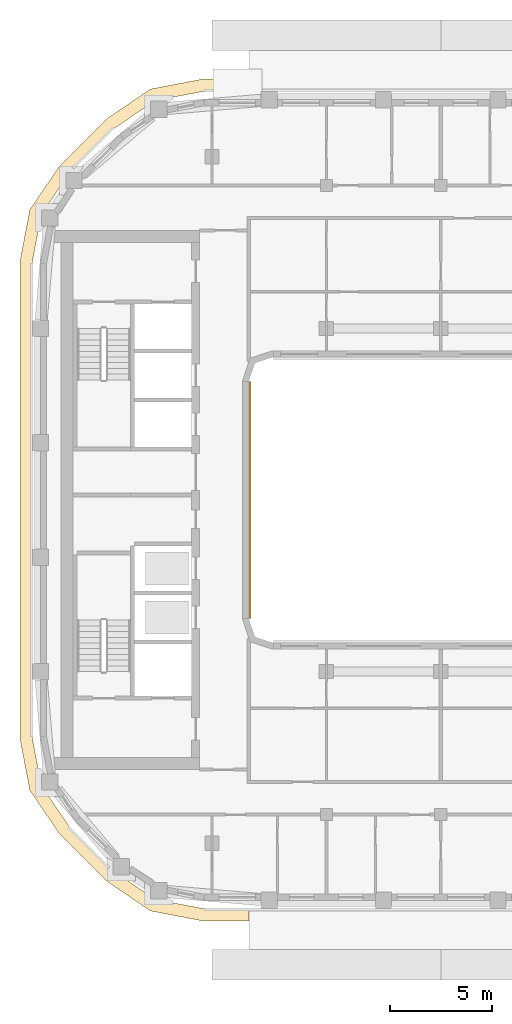
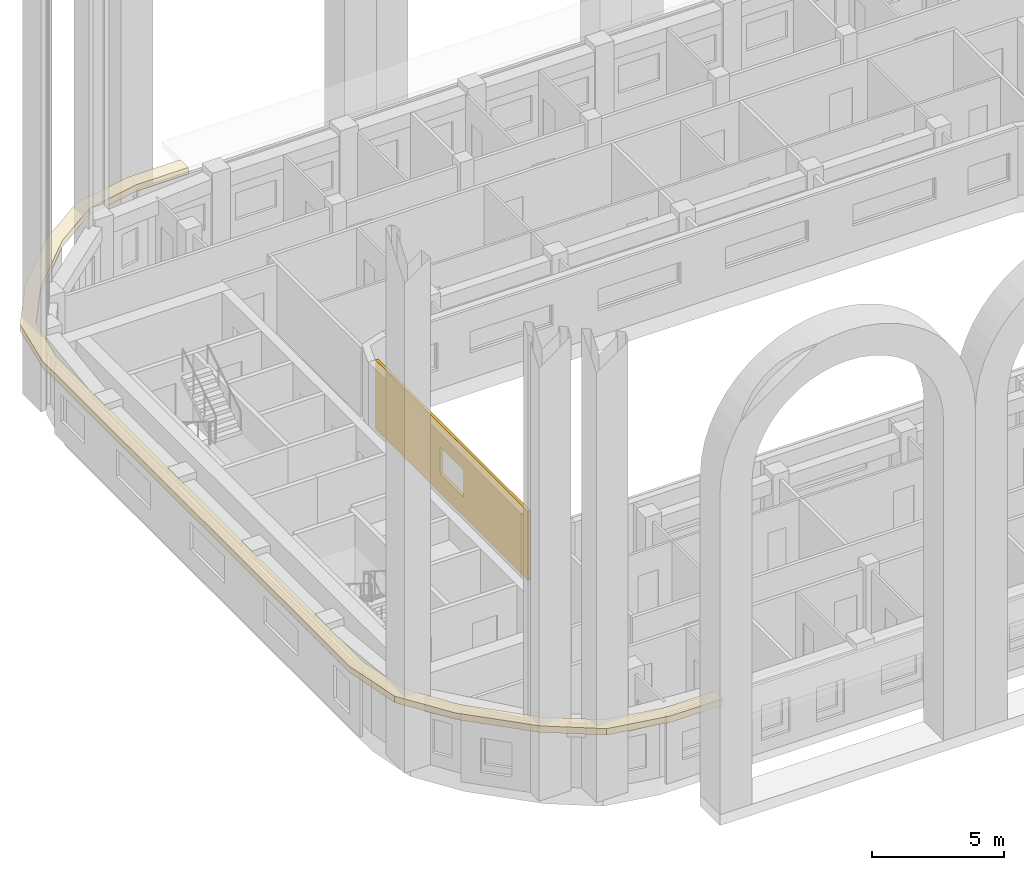
# One storey, part 13 of 19: 2 coverings.
"""IFC4 building model written with IfcOpenShell, lengths in metres."""

import ifcopenshell
import ifcopenshell.guid

model = None  # the IFC model being written
_history = None  # IfcOwnerHistory: only IFC2X3 demands one
_inside = {}  # id of a spatial element -> (the spatial element, [elements in it])
_under = {}  # id of a project, library or spatial element -> (it, [spatial elements below it])
_declared = {}  # id of a project -> (the project, [libraries it declares])
_typed = {}  # id of a type object -> (the type object, [elements of that type])
_made_of = {}  # id of a material, layer set ... -> (it, [elements and type objects made of it])


def new_model(schema):
    """Start an empty IFC model of exactly this schema.

    Asked for "IFC4X3", IfcOpenShell would pick the latest addendum, in which some entities
    have other attributes; the version numbers below select the first issue.
    IFC2X3 requires an IfcOwnerHistory on every rooted entity: one is made here for all.
    """
    global model, _history
    if schema == "IFC4X3":
        model = ifcopenshell.file(schema_version=(4, 3, 0, 0))
    else:
        model = ifcopenshell.file(schema=schema)
    _inside.clear()
    _under.clear()
    _declared.clear()
    _typed.clear()
    _made_of.clear()
    _history = None
    if model.schema == "IFC2X3":
        org = make("IfcOrganization", Name="unknown")
        user = make(
            "IfcPersonAndOrganization",
            ThePerson=make("IfcPerson", FamilyName="unknown"),
            TheOrganization=org,
        )
        app = make(
            "IfcApplication",
            ApplicationDeveloper=org,
            Version="unknown",
            ApplicationFullName="unknown",
            ApplicationIdentifier="unknown",
        )
        _history = make(
            "IfcOwnerHistory",
            OwningUser=user,
            OwningApplication=app,
            ChangeAction="ADDED",
            CreationDate=0,
        )
    return model


def make(cls, **values):
    """One entity of the class cls with the attributes given. An attribute that is None is left unset."""
    return model.create_entity(
        cls, **{name: value for name, value in values.items() if value is not None}
    )


def rooted(cls, **values):
    """An entity with a GlobalId (a new one), such as an element, a storey or a relation."""
    return make(cls, GlobalId=ifcopenshell.guid.new(), OwnerHistory=_history, **values)


def si_unit(unit_type, name, prefix=None):
    """IfcSIUnit, for example si_unit("LENGTHUNIT", "METRE", prefix="MILLI")."""
    return make("IfcSIUnit", UnitType=unit_type, Prefix=prefix, Name=name)


def assignment(units):
    """IfcUnitAssignment: the units of a project."""
    return None if units is None else make("IfcUnitAssignment", Units=units)


def point(xyz):
    """IfcCartesianPoint."""
    return None if xyz is None else make("IfcCartesianPoint", Coordinates=xyz)


def direction(xyz):
    """IfcDirection."""
    return None if xyz is None else make("IfcDirection", DirectionRatios=xyz)


def frame(location, z_axis=None, x_axis=None):
    """IfcAxis2Placement3D, a coordinate frame: its origin and axes. An axis left out is left unset."""
    return make(
        "IfcAxis2Placement3D",
        Location=point(location),
        Axis=direction(z_axis),
        RefDirection=direction(x_axis),
    )


def origin():
    """The frame at (0, 0, 0) with its axes left unset."""
    return frame((0.0, 0.0, 0.0))


def place(relative_to, where):
    """IfcLocalPlacement: puts the frame where relative to a parent placement (None: the world)."""
    return make(
        "IfcLocalPlacement", PlacementRelTo=relative_to, RelativePlacement=where
    )


def context(
    kind, dimensions, precision=None, world=None, true_north=None, identifier=None
):
    """IfcGeometricRepresentationContext, for example the 3D "Model" context."""
    return make(
        "IfcGeometricRepresentationContext",
        ContextIdentifier=identifier,
        ContextType=kind,
        CoordinateSpaceDimension=dimensions,
        Precision=precision,
        WorldCoordinateSystem=world,
        TrueNorth=true_north,
    )


def subcontext(parent, identifier, kind, view, scale=None):
    """IfcGeometricRepresentationSubContext, for example "Body" below "Model"."""
    return make(
        "IfcGeometricRepresentationSubContext",
        ContextIdentifier=identifier,
        ContextType=kind,
        ParentContext=parent,
        TargetScale=scale,
        TargetView=view,
    )


def project(units=None, contexts=None):
    """IfcProject with its units and contexts."""
    return rooted(
        "IfcProject",
        Name="project",
        RepresentationContexts=contexts,
        UnitsInContext=assignment(units),
    )


def spatial(cls, under=None, at=None, **own):
    """A site, building, storey or space (cls), placed at a placement, below another one or the project."""
    s = rooted(cls, ObjectPlacement=at, **own)
    if under is not None:
        _under.setdefault(under.id(), (under, []))[1].append(s)
    return s


def polyline(points):
    """IfcPolyline through the points."""
    return make("IfcPolyline", Points=[point(p) for p in points])


def outline(outer, holes=None, kind="AREA"):
    """IfcArbitraryClosedProfileDef: a profile drawn as a closed curve; with holes, ...WithVoids."""
    if holes is None:
        return make("IfcArbitraryClosedProfileDef", ProfileType=kind, OuterCurve=outer)
    return make(
        "IfcArbitraryProfileDefWithVoids",
        ProfileType=kind,
        OuterCurve=outer,
        InnerCurves=holes,
    )


def extrude(swept, where, along, depth):
    """IfcExtrudedAreaSolid: the profile swept, set in the frame where, extruded along a direction by depth."""
    return make(
        "IfcExtrudedAreaSolid",
        SweptArea=swept,
        Position=where,
        ExtrudedDirection=direction(along),
        Depth=depth,
    )


def shape(context_of_items, identifier, shape_type, items):
    """IfcShapeRepresentation: the items that make up one representation, for example the "Body"."""
    return make(
        "IfcShapeRepresentation",
        ContextOfItems=context_of_items,
        RepresentationIdentifier=identifier,
        RepresentationType=shape_type,
        Items=items,
    )


def material(Name=None, Category=None):
    """IfcMaterial."""
    return make("IfcMaterial", Name=Name, Category=Category)


def layer(
    of_material, thickness, ventilated=None, Name=None, Category=None, Priority=None
):
    """IfcMaterialLayer: one layer of a wall or slab, of a material (None: an air gap)."""
    return make(
        "IfcMaterialLayer",
        Material=of_material,
        LayerThickness=thickness,
        IsVentilated=ventilated,
        Name=Name,
        Category=Category,
        Priority=Priority,
    )


def layer_set(layers, Name=None):
    """IfcMaterialLayerSet."""
    return make("IfcMaterialLayerSet", MaterialLayers=layers, LayerSetName=Name)


def made_of(thing, what):
    """Note that an element or type object is made of a material, layer set ...; save() writes the relation."""
    if what is not None:
        _made_of.setdefault(what.id(), (what, []))[1].append(thing)
    return thing


def type_object(cls, material=None, **own):
    """A type object (cls), such as IfcWallType, which elements share."""
    return made_of(rooted(cls, **own), material)


def element(
    cls,
    number,
    at=None,
    inside=None,
    cuts=None,
    type_object=None,
    material=None,
    context=None,
    identifier="Body",
    shape_type=None,
    held_by="IfcProductDefinitionShape",
    body=None,
    shapes=None,
    **own,
):
    """One element of the class cls, such as IfcWall. Its Tag is "e" and its number.

    at: its placement. inside: the storey or other place that contains it. cuts: it is an
    opening in that element (IfcRelVoidsElement). A single representation is given by context,
    identifier, shape_type and body (its items); several are given by shapes. held_by: the class
    of the entity that holds the representations. save() writes the other relations.
    """
    e = rooted(cls, Tag="e%d" % number, ObjectPlacement=at, **own)
    if body is not None:
        shapes = [shape(context, identifier, shape_type, body)]
    if shapes is not None:
        e.Representation = make(held_by, Representations=shapes)
    if inside is not None:
        _inside.setdefault(inside.id(), (inside, []))[1].append(e)
    if cuts is not None:
        rooted(
            "IfcRelVoidsElement", RelatingBuildingElement=cuts, RelatedOpeningElement=e
        )
    if type_object is not None:
        _typed.setdefault(type_object.id(), (type_object, []))[1].append(e)
    return made_of(e, material)


def aggregate(whole, parts):
    """IfcRelAggregates: a whole, such as a stair, and the parts it consists of."""
    return rooted("IfcRelAggregates", RelatingObject=whole, RelatedObjects=parts)


def save(model, path):
    """Write the relations noted so far, then the file.

    IfcRelAggregates (storeys below a building ...), IfcRelContainedInSpatialStructure (elements
    in a storey), IfcRelDefinesByType, IfcRelAssociatesMaterial and IfcRelDeclares: one each for
    every whole, place, type object, material and project.
    """
    for whole, parts in _under.values():
        aggregate(whole, parts)
    for where, things in _inside.values():
        rooted(
            "IfcRelContainedInSpatialStructure",
            RelatedElements=things,
            RelatingStructure=where,
        )
    for kind, things in _typed.values():
        rooted("IfcRelDefinesByType", RelatedObjects=things, RelatingType=kind)
    for what, things in _made_of.values():
        rooted("IfcRelAssociatesMaterial", RelatedObjects=things, RelatingMaterial=what)
    for by, libraries in _declared.values():
        rooted("IfcRelDeclares", RelatingContext=by, RelatedDefinitions=libraries)
    model.write(path)


model = new_model("IFC4")

# Units and contexts
model_context = context("Model", 3, precision=1e-05, world=origin(), true_north=direction((0.0, 1.0)))
body_context = subcontext(model_context, "Body", "Model", "MODEL_VIEW")
ifc_project = project(units=[si_unit("LENGTHUNIT", "METRE"), si_unit("AREAUNIT", "SQUARE_METRE"), si_unit("VOLUMEUNIT", "CUBIC_METRE"), si_unit("PLANEANGLEUNIT", "RADIAN"), si_unit("MASSUNIT", "GRAM", prefix="KILO")], contexts=[model_context])

# Site, building, storey
site_placement = place(None, origin())
site = spatial("IfcSite", under=ifc_project, at=site_placement, CompositionType="ELEMENT")
building_placement = place(site_placement, origin())
building = spatial("IfcBuilding", under=site, at=building_placement, Name="Kiln Ring Residences", CompositionType="ELEMENT")
storey_placement = place(building_placement, frame((0.0, 0.0, 241.699951171875)))
storey = spatial("IfcBuildingStorey", under=building, at=storey_placement, Name="L62", CompositionType="ELEMENT", Elevation=241.699951171875)

# Coverings
ifc_material_1 = material(Name="Brick masonry, dark clay brick", Category="masonry")
ifc_layer_1 = layer(ifc_material_1, 0.1201171875)
ifc_layer_set_1 = layer_set([ifc_layer_1], Name="RAINSCREEN PANEL 120")
covering_type_1 = type_object("IfcCoveringType", Name="RAINSCREEN PANEL 120", PredefinedType="CLADDING", material=ifc_layer_set_1)
covering_1_placement = place(storey_placement, frame((-14.93994140625, -5.800048828125, 0.0), z_axis=(0.0, 0.0, 1.0), x_axis=(0.0, 1.0, 0.0)))
element("IfcCovering", 1, at=covering_1_placement, inside=storey, type_object=covering_type_1, Name="RAINSCREEN L62", PredefinedType="CLADDING", context=body_context, shape_type="SweptSolid", body=[
    extrude(outline(polyline([(0.0, 0.0), (11.60009765625, 0.0), (11.60009765625, 3.199951171875), (0.0, 3.199951171875), (0.0, 0.0)]), holes=[polyline([(4.89990234375, 2.150146484375), (4.89990234375, 0.900146484375), (6.699951171875, 0.900146484375), (6.699951171875, 2.150146484375), (4.89990234375, 2.150146484375)])]), frame((0.0, 0.06005859375, 0.0), z_axis=(0.0, -1.0, 0.0), x_axis=(1.0, 0.0, 0.0)), (0.0, 0.0, 1.0), 0.1201171875),
])
ifc_material_2 = material(Name="Black powder-coated steel", Category="steel")
ifc_layer_2 = layer(ifc_material_2, 0.300048828125)
ifc_layer_set_2 = layer_set([ifc_layer_2], Name="SUNSHADE FIN 600")
covering_type_2 = type_object("IfcCoveringType", Name="SUNSHADE FIN 600", PredefinedType="CLADDING", material=ifc_layer_set_2)
covering_2_placement = place(storey_placement, frame((0.0, 0.0, 3.199951171875)))
element("IfcCovering", 2, at=covering_2_placement, inside=storey, type_object=covering_type_2, Name="SUNSHADE FIN L62", PredefinedType="CLADDING", context=body_context, shape_type="SweptSolid", body=[
    extrude(outline(polyline([(-26.199951171875, -11.694580078125), (-25.71923828125, -14.215087890625), (-24.27685546875, -16.33740234375), (-21.937255859375, -18.677001953125), (-19.815185546875, -20.119140625), (-17.29443359375, -20.60009765625), (-15.0, -20.60009765625), (-15.0, -20.0), (-17.23779296875, -20.0), (-19.58056640625, -19.552978515625), (-21.55322265625, -18.21240234375), (-23.8125, -15.953125), (-25.153076171875, -13.980712890625), (-25.60009765625, -11.6376953125), (-25.60009765625, 11.6376953125), (-25.153076171875, 13.980712890625), (-23.8125, 15.953125), (-21.55322265625, 18.21240234375), (-19.58056640625, 19.552978515625), (-17.23779296875, 20.0), (-15.0, 20.0), (-15.0, 20.60009765625), (-17.29443359375, 20.60009765625), (-19.815185546875, 20.119140625), (-21.937255859375, 18.677001953125), (-24.27685546875, 16.33740234375), (-25.71923828125, 14.215087890625), (-26.199951171875, 11.694580078125), (-26.199951171875, -11.694580078125)])), origin(), (0.0, 0.0, 1.0), 0.300048828125),
])

save(model, "model.ifc")
